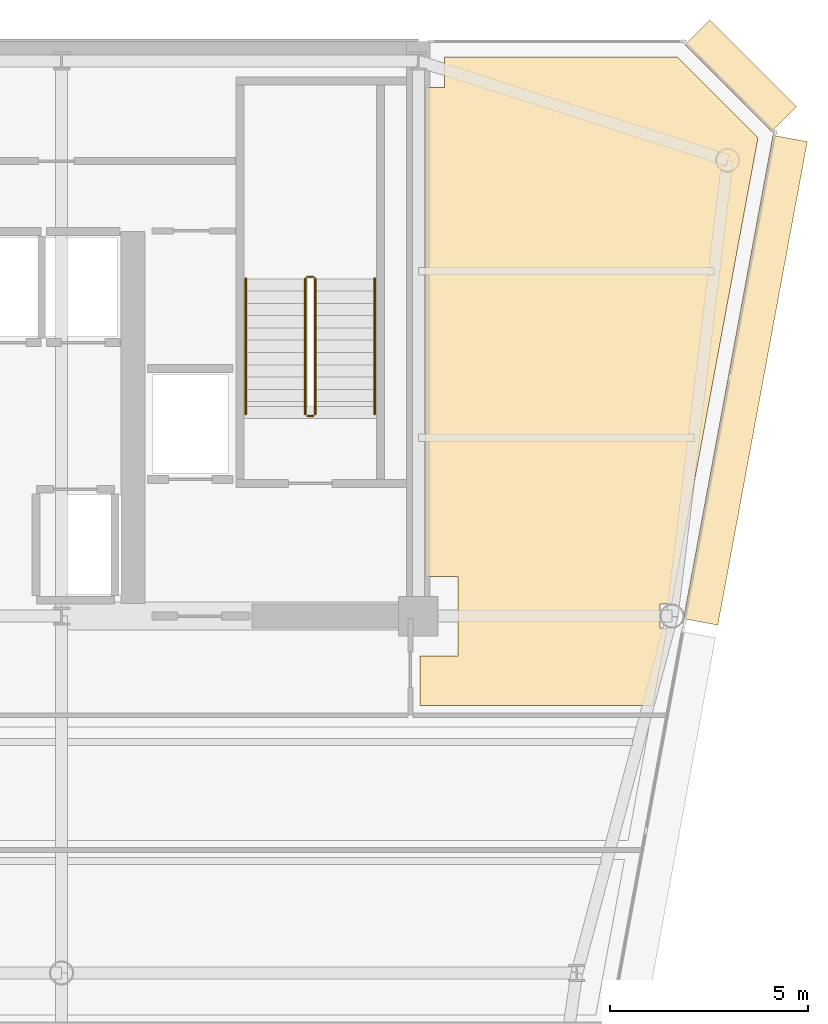
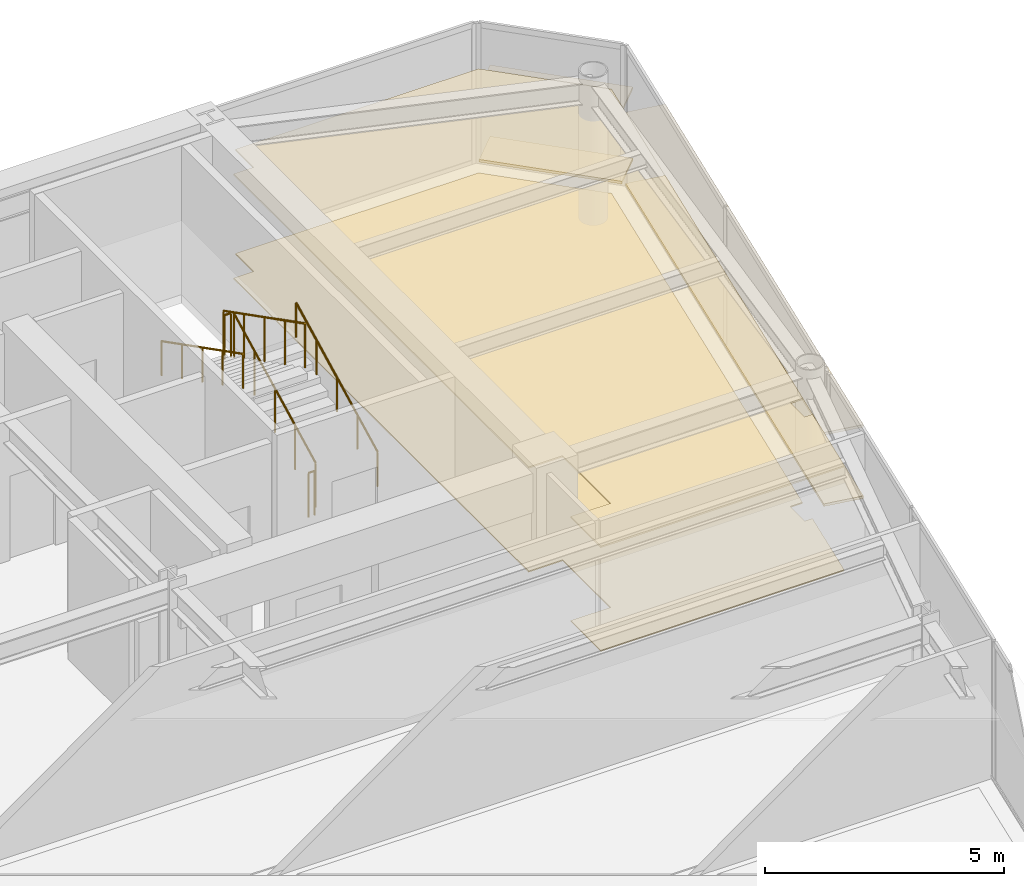
# One storey, part 16 of 16: 6 coverings, 6 railings.
"""IFC4 building model written with IfcOpenShell, lengths in metres."""

from ifc_helpers import new_model, si_unit, direction, frame, origin, origin_2d, place, context, subcontext, project, spatial, polyline, rectangle, circle, outline, extrude, source, transform, mapped, material, layer, layer_set, type_object, element, save


model = new_model("IFC4")

# Units and contexts
model_context = context("Model", 3, precision=1e-05, world=origin(), true_north=direction((0.0, 1.0)))
body_context = subcontext(model_context, "Body", "Model", "MODEL_VIEW")
ifc_project = project(units=[si_unit("LENGTHUNIT", "METRE"), si_unit("AREAUNIT", "SQUARE_METRE"), si_unit("VOLUMEUNIT", "CUBIC_METRE"), si_unit("PLANEANGLEUNIT", "RADIAN"), si_unit("MASSUNIT", "GRAM", prefix="KILO")], contexts=[model_context])

# Site, building, storey
site_placement = place(None, origin())
site = spatial("IfcSite", under=ifc_project, at=site_placement, CompositionType="ELEMENT")
building_placement = place(site_placement, origin())
building = spatial("IfcBuilding", under=site, at=building_placement, Name="Vaeldorn Concourse Tower", CompositionType="ELEMENT")
storey_placement = place(building_placement, frame((0.0, 0.0, 227.0)))
storey = spatial("IfcBuildingStorey", under=building, at=storey_placement, Name="L58", CompositionType="ELEMENT", Elevation=227.0)

# Coverings
ifc_material_1 = material(Name="Acoustic Mineral Fibre Board", Category="gypsum")
ifc_layer_1 = layer(ifc_material_1, 0.0400390625)
ifc_layer_set_1 = layer_set([ifc_layer_1], Name="Acoustic Mineral Fibre Board")
covering_type_1 = type_object("IfcCoveringType", Name="COV-CEIL-ACOUSTIC", PredefinedType="CEILING", material=ifc_layer_set_1)
covering_1_placement = place(storey_placement, frame((0.0, 0.0, 2.64990234375)))
element("IfcCovering", 1, at=covering_1_placement, inside=storey, type_object=covering_type_1, Name="Suspended Acoustic Ceiling L58-4", PredefinedType="CEILING", context=body_context, shape_type="SweptSolid", body=[
    extrude(outline(polyline([(54.179931640625, 49.840087890625), (54.659912109375, 49.840087890625), (54.659912109375, 50.60009765625), (60.5341796875, 50.60009765625), (62.568359375, 48.56591796875), (60.48828125, 37.320068359375), (60.48828125, 37.320068359375), (60.392822265625, 36.804931640625), (60.094970703125, 36.804931640625), (60.094970703125, 36.195068359375), (60.280029296875, 36.195068359375), (59.91845703125, 34.239990234375), (54.0400390625, 34.239990234375), (54.0400390625, 35.5), (55.0, 35.5), (55.0, 37.5), (54.179931640625, 37.5), (54.179931640625, 49.840087890625)])), origin(), (0.0, 0.0, 1.0), 0.0400390625),
])
ifc_material_2 = material(Name="Honed Limestone Terrazzo Flooring", Category="masonry")
ifc_layer_2 = layer(ifc_material_2, 0.0400390625)
ifc_layer_set_2 = layer_set([ifc_layer_2], Name="Honed Limestone Terrazzo Flooring")
covering_type_2 = type_object("IfcCoveringType", Name="COV-FLOOR-STONE", PredefinedType="FLOORING", material=ifc_layer_set_2)
covering_2_placement = place(storey_placement, origin())
element("IfcCovering", 2, at=covering_2_placement, inside=storey, type_object=covering_type_2, Name="Floor Finish Covering L58-4", PredefinedType="FLOORING", context=body_context, shape_type="SweptSolid", body=[
    extrude(outline(polyline([(54.179931640625, 49.840087890625), (54.659912109375, 49.840087890625), (54.659912109375, 50.60009765625), (60.5341796875, 50.60009765625), (62.568359375, 48.56591796875), (60.48828125, 37.320068359375), (60.48828125, 37.320068359375), (60.392822265625, 36.804931640625), (60.094970703125, 36.804931640625), (60.094970703125, 36.195068359375), (60.280029296875, 36.195068359375), (59.91845703125, 34.239990234375), (54.0400390625, 34.239990234375), (54.0400390625, 35.5), (55.0, 35.5), (55.0, 37.5), (54.179931640625, 37.5), (54.179931640625, 49.840087890625)])), origin(), (0.0, 0.0, 1.0), 0.030029296875),
])

# Railings
ifc_material_3 = material(Name="Anodised Bronze Aluminium", Category="aluminium")
railing_type_1 = type_object("IfcRailingType", Name="RL-STAIR-GUARD", PredefinedType="GUARDRAIL", material=ifc_material_3)
railing_1_placement = place(storey_placement, frame((51.39990234375, 41.60009765625, 0.158447265625)))
element("IfcRailing", 3, at=railing_1_placement, inside=storey, type_object=railing_type_1, Name="L58 ST-2 stair guard 1", PredefinedType="GUARDRAIL", context=body_context, shape_type="SweptSolid", body=[
    extrude(circle(Radius=0.02392578125, at=origin_2d()), frame((0.0, 0.0, 1.1259765625), z_axis=(0.0, 0.890581635807, 0.454823427236), x_axis=(-1.0, 0.0, 0.0)), (0.0, 0.0, 1.0), 3.828857421875),
    extrude(circle(Radius=0.02099609375, at=origin_2d()), origin(), (0.0, 0.0, 1.0), 1.101806640625),
    extrude(circle(Radius=0.02099609375, at=origin_2d()), frame((0.0, 0.8525390625, 0.435302734375)), (0.0, 0.0, 1.0), 1.101806640625),
    extrude(circle(Radius=0.02099609375, at=origin_2d()), frame((0.0, 1.705078125, 0.87060546875)), (0.0, 0.0, 1.0), 1.101806640625),
    extrude(circle(Radius=0.02099609375, at=origin_2d()), frame((0.0, 2.557373046875, 1.30615234375)), (0.0, 0.0, 1.0), 1.101806640625),
    extrude(circle(Radius=0.02099609375, at=origin_2d()), frame((0.0, 3.409912109375, 1.741455078125)), (0.0, 0.0, 1.0), 1.101806640625),
])
railing_2_placement = place(storey_placement, frame((51.35009765625, 45.06005859375, 1.89990234375)))
element("IfcRailing", 4, at=railing_2_placement, inside=storey, type_object=railing_type_1, Name="L58 ST-2 stair guard 2", PredefinedType="GUARDRAIL", context=body_context, shape_type="SweptSolid", body=[
    extrude(circle(Radius=0.02392578125, at=origin_2d()), frame((0.0, 0.0, 1.1259765625), z_axis=(-1.0, 0.0, 0.0), x_axis=(0.0, -1.0, 0.0)), (0.0, 0.0, 1.0), 0.150146484375),
    extrude(circle(Radius=0.02099609375, at=origin_2d()), origin(), (0.0, 0.0, 1.0), 1.101806640625),
    extrude(circle(Radius=0.02099609375, at=origin_2d()), frame((-0.150146484375, 0.0, 0.0)), (0.0, 0.0, 1.0), 1.101806640625),
])
railing_3_placement = place(storey_placement, frame((51.14990234375, 45.010009765625, 2.058349609375)))
element("IfcRailing", 5, at=railing_3_placement, inside=storey, type_object=railing_type_1, Name="L58 ST-2 stair guard 3", PredefinedType="GUARDRAIL", context=body_context, shape_type="SweptSolid", body=[
    extrude(circle(Radius=0.02392578125, at=origin_2d()), frame((0.0, 0.0, 1.1259765625), z_axis=(0.0, -0.890555807335, 0.454873997962), x_axis=(1.0, 0.0, 0.0)), (0.0, 0.0, 1.0), 3.828857421875),
    extrude(circle(Radius=0.02099609375, at=origin_2d()), origin(), (0.0, 0.0, 1.0), 1.101806640625),
    extrude(circle(Radius=0.02099609375, at=origin_2d()), frame((0.0, -0.8525390625, 0.435546875)), (0.0, 0.0, 1.0), 1.101806640625),
    extrude(circle(Radius=0.02099609375, at=origin_2d()), frame((0.0, -1.705078125, 0.870849609375)), (0.0, 0.0, 1.0), 1.101806640625),
    extrude(circle(Radius=0.02099609375, at=origin_2d()), frame((0.0, -2.557373046875, 1.30615234375)), (0.0, 0.0, 1.0), 1.101806640625),
    extrude(circle(Radius=0.02099609375, at=origin_2d()), frame((0.0, -3.409912109375, 1.74169921875)), (0.0, 0.0, 1.0), 1.101806640625),
])
railing_4_placement = place(storey_placement, frame((51.35009765625, 41.550048828125, 0.0)))
element("IfcRailing", 6, at=railing_4_placement, inside=storey, type_object=railing_type_1, Name="L58 ST-2 stair guard 4", PredefinedType="GUARDRAIL", context=body_context, shape_type="SweptSolid", body=[
    extrude(circle(Radius=0.02392578125, at=origin_2d()), frame((0.0, 0.0, 1.1259765625), z_axis=(-1.0, 0.0, 0.0), x_axis=(0.0, -1.0, 0.0)), (0.0, 0.0, 1.0), 0.150146484375),
    extrude(circle(Radius=0.02099609375, at=origin_2d()), origin(), (0.0, 0.0, 1.0), 1.101806640625),
    extrude(circle(Radius=0.02099609375, at=origin_2d()), frame((-0.150146484375, 0.0, 0.0)), (0.0, 0.0, 1.0), 1.101806640625),
])
railing_type_2 = type_object("IfcRailingType", Name="RL-STAIR-HANDRAIL", PredefinedType="HANDRAIL", material=ifc_material_3)
railing_5_placement = place(storey_placement, frame((52.89990234375, 41.60009765625, 0.158447265625)))
element("IfcRailing", 7, at=railing_5_placement, inside=storey, type_object=railing_type_2, Name="L58 ST-2 stair handrail 1", PredefinedType="HANDRAIL", context=body_context, shape_type="SweptSolid", body=[
    extrude(circle(Radius=0.02392578125, at=origin_2d()), frame((0.0, 0.0, 0.8759765625), z_axis=(0.0, 0.890581635807, 0.454823427236), x_axis=(-1.0, 0.0, 0.0)), (0.0, 0.0, 1.0), 3.828857421875),
    extrude(circle(Radius=0.02099609375, at=origin_2d()), origin(), (0.0, 0.0, 1.0), 0.851806640625),
    extrude(circle(Radius=0.02099609375, at=origin_2d()), frame((0.0, 0.8525390625, 0.435302734375)), (0.0, 0.0, 1.0), 0.851806640625),
    extrude(circle(Radius=0.02099609375, at=origin_2d()), frame((0.0, 1.705078125, 0.87060546875)), (0.0, 0.0, 1.0), 0.851806640625),
    extrude(circle(Radius=0.02099609375, at=origin_2d()), frame((0.0, 2.557373046875, 1.30615234375)), (0.0, 0.0, 1.0), 0.851806640625),
    extrude(circle(Radius=0.02099609375, at=origin_2d()), frame((0.0, 3.409912109375, 1.741455078125)), (0.0, 0.0, 1.0), 0.851806640625),
])
railing_6_placement = place(storey_placement, frame((49.64990234375, 45.010009765625, 2.058349609375)))
element("IfcRailing", 8, at=railing_6_placement, inside=storey, type_object=railing_type_2, Name="L58 ST-2 stair handrail 2", PredefinedType="HANDRAIL", context=body_context, shape_type="SweptSolid", body=[
    extrude(circle(Radius=0.02392578125, at=origin_2d()), frame((0.0, 0.0, 0.8759765625), z_axis=(0.0, -0.890555807335, 0.454873997962), x_axis=(1.0, 0.0, 0.0)), (0.0, 0.0, 1.0), 3.828857421875),
    extrude(circle(Radius=0.02099609375, at=origin_2d()), origin(), (0.0, 0.0, 1.0), 0.851806640625),
    extrude(circle(Radius=0.02099609375, at=origin_2d()), frame((0.0, -0.8525390625, 0.435546875)), (0.0, 0.0, 1.0), 0.851806640625),
    extrude(circle(Radius=0.02099609375, at=origin_2d()), frame((0.0, -1.705078125, 0.870849609375)), (0.0, 0.0, 1.0), 0.851806640625),
    extrude(circle(Radius=0.02099609375, at=origin_2d()), frame((0.0, -2.557373046875, 1.30615234375)), (0.0, 0.0, 1.0), 0.851806640625),
    extrude(circle(Radius=0.02099609375, at=origin_2d()), frame((0.0, -3.409912109375, 1.74169921875)), (0.0, 0.0, 1.0), 0.851806640625),
])

# Coverings
ifc_layer_3 = layer(ifc_material_3, 0.06494140625)
ifc_layer_set_3 = layer_set([ifc_layer_3], Name="Anodised Bronze Aluminium")
covering_type_3 = type_object("IfcCoveringType", Name="SD-BRONZE-SUNSHADE", PredefinedType="USERDEFINED", material=ifc_layer_set_3)
shared_shape_1 = source(origin(), body_context, "Body", "SweptSolid", [
    extrude(rectangle(XDim=3.0927734375, YDim=0.8798828125, at=origin_2d()), origin(), (0.0, 0.0, 1.0), 0.06494140625),
])
for number, where, z_axis, x_axis, name in (
    (9, (62.1328125, 50.1328125, 0.047607421875), (0.0, 0.0, 1.0), (-0.707106781187, 0.707106781187, 0.0), "Horizontal Bronze Sunshade L58-E08.1.1"),
    (10, (62.1328125, 50.1328125, 1.867431640625), (0.0, 0.0, 1.0), (-0.707106781187, 0.707106781187, 0.0), "Horizontal Bronze Sunshade L58-E08.1.2"),
):
    element("IfcCovering", number, at=place(storey_placement, frame(where, z_axis=z_axis, x_axis=x_axis)), inside=storey, type_object=covering_type_3, Name=name, ObjectType="SUNSHADE", PredefinedType="USERDEFINED", context=body_context, shape_type="MappedRepresentation", body=[
        mapped(shared_shape_1, transform((0.0, 0.0, 0.0), scale=1.0)),
    ])
shared_shape_2 = source(origin(), body_context, "Body", "SweptSolid", [
    extrude(rectangle(XDim=12.402587890625, YDim=0.8798828125, at=origin_2d()), origin(), (0.0, 0.0, 1.0), 0.06494140625),
])
for number, where, z_axis, x_axis, name in (
    (11, (62.250732421875, 42.45068359375, 0.047607421875), (0.0, 0.0, 1.0), (0.181892293686, 0.983318459858, 0.0), "Horizontal Bronze Sunshade L58-E07.2.1"),
    (12, (62.250732421875, 42.45068359375, 1.867431640625), (0.0, 0.0, 1.0), (0.181892293686, 0.983318459858, 0.0), "Horizontal Bronze Sunshade L58-E07.2.2"),
):
    element("IfcCovering", number, at=place(storey_placement, frame(where, z_axis=z_axis, x_axis=x_axis)), inside=storey, type_object=covering_type_3, Name=name, ObjectType="SUNSHADE", PredefinedType="USERDEFINED", context=body_context, shape_type="MappedRepresentation", body=[
        mapped(shared_shape_2, transform((0.0, 0.0, 0.0), scale=1.0)),
    ])

save(model, "model.ifc")
